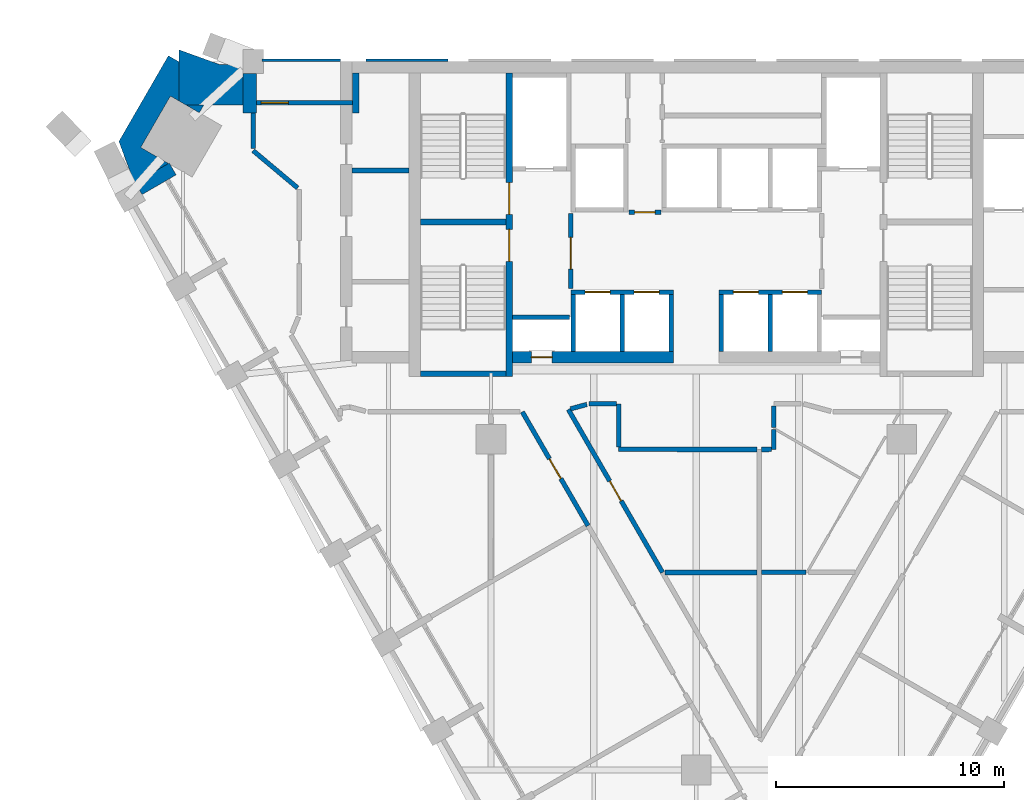
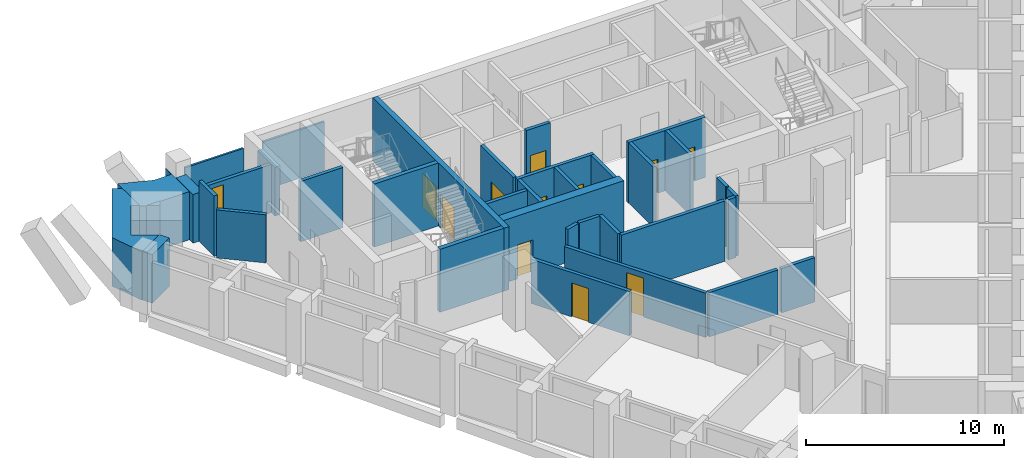
# One storey, part 5 of 10: 37 walls, 12 doors, 12 openings.
"""IFC4 building model written with IfcOpenShell, lengths in metres."""

from ifc_helpers import new_model, si_unit, direction, frame, frame_2d, origin, place, context, subcontext, project, spatial, polyline, rectangle, outline, extrude, material, layer, layer_set, type_object, element, fill, save


model = new_model("IFC4")

# Units and contexts
model_context = context("Model", 3, precision=1e-05, world=origin(), true_north=direction((0.0, 1.0)))
body_context = subcontext(model_context, "Body", "Model", "MODEL_VIEW")
ifc_project = project(units=[si_unit("LENGTHUNIT", "METRE"), si_unit("AREAUNIT", "SQUARE_METRE"), si_unit("VOLUMEUNIT", "CUBIC_METRE"), si_unit("PLANEANGLEUNIT", "RADIAN"), si_unit("MASSUNIT", "GRAM", prefix="KILO")], contexts=[model_context])

# Site, building, storey
site_placement = place(None, origin())
site = spatial("IfcSite", under=ifc_project, at=site_placement, CompositionType="ELEMENT")
building_placement = place(site_placement, origin())
building = spatial("IfcBuilding", under=site, at=building_placement, Name="Calabash Gate Tower", CompositionType="ELEMENT")
storey_placement = place(building_placement, frame((0.0, 0.0, 183.60009765625)))
storey = spatial("IfcBuildingStorey", under=building, at=storey_placement, Name="L43", CompositionType="ELEMENT", Elevation=183.60009765625)

# Walls
ifc_material_1 = material(Name="Terracotta brick masonry, exposed face", Category="masonry")
ifc_layer_1 = layer(ifc_material_1, 2.425048828125)
ifc_layer_set_1 = layer_set([ifc_layer_1], Name="Brick corner mass wall 2425")
wall_type_1 = type_object("IfcWallType", Name="Brick corner mass wall 2425", PredefinedType="SOLIDWALL", material=ifc_layer_set_1)
wall_1_placement = place(storey_placement, origin())
element("IfcWall", 1, at=wall_1_placement, inside=storey, type_object=wall_type_1, Name="Brick corner pier S12 4a", PredefinedType="SOLIDWALL", context=body_context, shape_type="SweptSolid", body=[
    extrude(outline(polyline([(-22.376220703125, 17.152587890625), (-19.878173828125, 17.152587890625), (-19.878173828125, 19.57763671875), (-19.916015625, 18.93701171875), (-20.916015625, 18.93701171875), (-22.68798828125, 19.57763671875), (-22.68798828125, 17.33251953125), (-22.376220703125, 17.152587890625)])), origin(), (0.0, 0.0, 1.0), 2.973388671875),
])
wall_2_placement = place(storey_placement, origin())
element("IfcWall", 2, at=wall_2_placement, inside=storey, type_object=wall_type_1, Name="Brick corner pier S12 4ba", PredefinedType="SOLIDWALL", context=body_context, shape_type="SweptSolid", body=[
    extrude(outline(polyline([(-24.630126953125, 13.730712890625), (-23.137939453125, 14.590087890625), (-24.353759765625, 15.292236328125), (-23.0537109375, 17.5439453125), (-22.68798828125, 17.33251953125), (-22.68798828125, 19.052490234375), (-23.142578125, 19.31494140625), (-25.313232421875, 15.555419921875), (-24.630126953125, 13.730712890625)])), origin(), (0.0, 0.0, 1.0), 3.0),
])
wall_3_placement = place(storey_placement, origin())
element("IfcWall", 3, at=wall_3_placement, inside=storey, type_object=wall_type_1, Name="Brick corner pier S12 4bb", PredefinedType="SOLIDWALL", context=body_context, shape_type="SweptSolid", body=[
    extrude(outline(polyline([(-21.5908203125, 17.152587890625), (-22.376220703125, 17.152587890625), (-21.787353515625, 16.8125), (-21.5908203125, 17.152587890625)])), origin(), (0.0, 0.0, 1.0), 3.0),
])
ifc_material_2 = material(Name="Terracotta brick masonry, exposed face", Category="masonry")
ifc_layer_2 = layer(ifc_material_2, 0.300048828125)
ifc_layer_set_2 = layer_set([ifc_layer_2], Name="Brick loggia cheek wall 300")
wall_type_2 = type_object("IfcWallType", Name="Brick loggia cheek wall 300", PredefinedType="SOLIDWALL", material=ifc_layer_set_2)
wall_4_placement = place(storey_placement, frame((-22.954345703125, 14.349609375, 0.0), z_axis=(0.0, 0.0, 1.0), x_axis=(-0.865994550583, -0.500053435504, 0.0)))
element("IfcWall", 4, at=wall_4_placement, inside=storey, type_object=wall_type_2, Name="Loggia cheek S12 SW0.0", PredefinedType="SOLIDWALL", context=body_context, shape_type="SweptSolid", body=[
    extrude(rectangle(XDim=1.723876953125, YDim=0.60009765625, at=frame_2d((0.86181640625, 0.0))), origin(), (0.0, 0.0, 1.0), 3.0),
])
wall_5_placement = place(storey_placement, origin())
element("IfcWall", 5, at=wall_5_placement, inside=storey, type_object=wall_type_2, Name="Loggia cheek S12 N6.8", PredefinedType="SOLIDWALL", context=body_context, shape_type="SweptSolid", body=[
    extrude(outline(polyline([(-15.078125, 16.802490234375), (-15.078125, 18.5546875), (-14.778076171875, 18.5546875), (-14.778076171875, 16.802490234375), (-15.078125, 16.802490234375)])), origin(), (0.0, 0.0, 1.0), 3.0),
])
wall_6_placement = place(storey_placement, origin())
element("IfcWall", 6, at=wall_6_placement, inside=storey, type_object=wall_type_2, Name="Loggia cheek S12 N6.9", PredefinedType="SOLIDWALL", context=body_context, shape_type="SweptSolid", body=[
    extrude(outline(polyline([(-19.878173828125, 18.527587890625), (-19.878173828125, 16.802490234375), (-19.278076171875, 16.802490234375), (-19.278076171875, 18.527587890625), (-19.878173828125, 18.527587890625)])), origin(), (0.0, 0.0, 1.0), 3.0),
])
ifc_material_3 = material(Name="Gypsum board on steel studs, mineral wool", Category="steel")
ifc_layer_3 = layer(ifc_material_3, 0.199951171875)
ifc_layer_set_3 = layer_set([ifc_layer_3], Name="Core partition 200 gypsum board")
wall_type_3 = type_object("IfcWallType", Name="Core partition 200 gypsum board", PredefinedType="PARTITIONING", material=ifc_layer_set_3)
wall_7_placement = place(storey_placement, frame((-15.10009765625, 14.28271484375, 0.0), z_axis=(0.0, 0.0, 1.0), x_axis=(1.0, 0.0, 0.0)))
element("IfcWall", 7, at=wall_7_placement, inside=storey, type_object=wall_type_3, Name="Core partition", PredefinedType="PARTITIONING", context=body_context, shape_type="SweptSolid", body=[
    extrude(rectangle(XDim=2.5, YDim=0.199951171875, at=frame_2d((1.25, 0.0))), origin(), (0.0, 0.0, 1.0), 3.72998046875),
])
ifc_material_4 = material(Name="Concrete C70/85", Category="concrete")
ifc_layer_4 = layer(ifc_material_4, 0.25)
ifc_layer_set_4 = layer_set([ifc_layer_4], Name="Core wall 250 Concrete C70/85")
wall_type_4 = type_object("IfcWallType", Name="Core wall 250 Concrete C70/85", PredefinedType="SHEAR", material=ifc_layer_set_4)
for number, where, z_axis, x_axis, name in (
    (8, (-12.10009765625, 12.027587890625, 0.0), (0.0, 0.0, 1.0), (1.0, 0.0, 0.0), "Core wall Z3-MIDW L43"),
    (9, (-12.10009765625, 5.377685546875, 0.0), (0.0, 0.0, 1.0), (1.0, 0.0, 0.0), "Core wall Z3-SSW L43"),
):
    element("IfcWall", number, at=place(storey_placement, frame(where, z_axis=z_axis, x_axis=x_axis)), inside=storey, type_object=wall_type_4, Name=name, PredefinedType="SHEAR", context=body_context, shape_type="SweptSolid", body=[
        extrude(rectangle(XDim=3.75, YDim=0.25, at=frame_2d((1.875, 0.0))), origin(), (0.0, 0.0, 1.0), 3.89990234375),
    ])

# Wall, openings, doors
ifc_material_5 = material(Name="Concrete C70/85", Category="concrete")
ifc_layer_5 = layer(ifc_material_5, 0.300048828125)
ifc_layer_set_5 = layer_set([ifc_layer_5], Name="Core wall 300 Concrete C70/85")
wall_type_5 = type_object("IfcWallType", Name="Core wall 300 Concrete C70/85", PredefinedType="SHEAR", material=ifc_layer_set_5)
wall_8_placement = place(storey_placement, frame((-8.199951171875, 5.252685546875, 0.0), z_axis=(0.0, 0.0, 1.0), x_axis=(0.0, 1.0, 0.0)))
wall_8 = element("IfcWall", 10, at=wall_8_placement, inside=storey, type_object=wall_type_5, Name="Core wall Z3-PARTW L43", PredefinedType="SHEAR", context=body_context, shape_type="SweptSolid", body=[
    extrude(rectangle(XDim=13.2998046875, YDim=0.300048828125, at=frame_2d((6.64990234375, 0.0))), origin(), (0.0, 0.0, 1.0), 3.89990234375),
])
opening_1_placement = place(wall_8_placement, frame((7.10009765625, 0.0, 0.0)))
opening_1 = element("IfcOpeningElement", 11, at=opening_1_placement, cuts=wall_8, Name="Opening O4-015", PredefinedType="OPENING", context=body_context, shape_type="SweptSolid", body=[
    extrude(rectangle(XDim=1.39990234375, YDim=2.10009765625, at=frame_2d((0.699951171875, 1.050048828125))), frame((0.0, 0.159912109375, 0.0), z_axis=(0.0, -1.0, 0.0), x_axis=(1.0, 0.0, 0.0)), (0.0, 0.0, 1.0), 0.320068359375),
])
opening_2_placement = place(wall_8_placement, frame((5.050048828125, 0.0, 0.0)))
opening_2 = element("IfcOpeningElement", 12, at=opening_2_placement, cuts=wall_8, Name="Opening O4-016", PredefinedType="OPENING", context=body_context, shape_type="SweptSolid", body=[
    extrude(rectangle(XDim=1.39990234375, YDim=2.10009765625, at=frame_2d((0.699951171875, 1.050048828125))), frame((0.0, 0.159912109375, 0.0), z_axis=(0.0, -1.0, 0.0), x_axis=(1.0, 0.0, 0.0)), (0.0, 0.0, 1.0), 0.320068359375),
])
ifc_material_6 = material(Name="Steel fire door set with fire-resisting glazing", Category="steel")
door_type_1 = type_object("IfcDoorType", Name="Fire door D05 1400x2100 FD90", OperationType="NOTDEFINED", PredefinedType="DOOR", material=ifc_material_6)
door_1_placement = place(opening_1_placement, origin())
door_1 = element("IfcDoor", 13, at=door_1_placement, inside=storey, type_object=door_type_1, Name="Exit stair door ST1", OperationType="SINGLE_SWING_LEFT", OverallHeight=2.10009765625, OverallWidth=1.39990234375, PredefinedType="DOOR", context=body_context, shape_type="SweptSolid", body=[
    extrude(rectangle(XDim=1.39990234375, YDim=2.10009765625, at=frame_2d((0.699951171875, 1.050048828125))), frame((0.0, 0.02490234375, 0.0), z_axis=(0.0, -1.0, 0.0), x_axis=(1.0, 0.0, 0.0)), (0.0, 0.0, 1.0), 0.050048828125),
])
fill(opening_1, door_1)
door_2_placement = place(opening_2_placement, origin())
door_2 = element("IfcDoor", 14, at=door_2_placement, inside=storey, type_object=door_type_1, Name="Exit stair door ST2", OperationType="SINGLE_SWING_LEFT", OverallHeight=2.10009765625, OverallWidth=1.39990234375, PredefinedType="DOOR", context=body_context, shape_type="SweptSolid", body=[
    extrude(rectangle(XDim=1.39990234375, YDim=2.10009765625, at=frame_2d((0.699951171875, 1.050048828125))), frame((0.0, 0.02490234375, 0.0), z_axis=(0.0, -1.0, 0.0), x_axis=(1.0, 0.0, 0.0)), (0.0, 0.0, 1.0), 0.050048828125),
])
fill(opening_2, door_2)

# Wall, opening, door
ifc_material_7 = material(Name="Concrete C70/85", Category="concrete")
ifc_layer_6 = layer(ifc_material_7, 0.5)
ifc_layer_set_6 = layer_set([ifc_layer_6], Name="Core wall 500 Concrete C70/85")
wall_type_6 = type_object("IfcWallType", Name="Core wall 500 Concrete C70/85", PredefinedType="SHEAR", material=ifc_layer_set_6)
wall_9_placement = place(storey_placement, frame((-8.050048828125, 6.1025390625, 0.0), z_axis=(0.0, 0.0, 1.0), x_axis=(1.0, 0.0, 0.0)))
wall_9 = element("IfcWall", 15, at=wall_9_placement, inside=storey, type_object=wall_type_6, Name="Core wall Z3-SA L43", PredefinedType="SHEAR", context=body_context, shape_type="SweptSolid", body=[
    extrude(rectangle(XDim=7.050048828125, YDim=0.5, at=frame_2d((3.52490234375, 0.0))), origin(), (0.0, 0.0, 1.0), 3.89990234375),
])
opening_3_placement = place(wall_9_placement, frame((0.824951171875, 0.0, 0.0)))
opening_3 = element("IfcOpeningElement", 16, at=opening_3_placement, cuts=wall_9, Name="Opening O4-014", PredefinedType="OPENING", context=body_context, shape_type="SweptSolid", body=[
    extrude(rectangle(XDim=0.89990234375, YDim=2.10009765625, at=frame_2d((0.449951171875, 1.050048828125))), frame((0.0, 0.260009765625, 0.0), z_axis=(0.0, -1.0, 0.0), x_axis=(1.0, 0.0, 0.0)), (0.0, 0.0, 1.0), 0.52001953125),
])
ifc_material_8 = material(Name="Steel fire door set with fire-resisting glazing", Category="steel")
door_type_2 = type_object("IfcDoorType", Name="Fire door D07 900x2100 FD90", OperationType="NOTDEFINED", PredefinedType="DOOR", material=ifc_material_8)
door_3_placement = place(opening_3_placement, origin())
door_3 = element("IfcDoor", 17, at=door_3_placement, inside=storey, type_object=door_type_2, Name="Electrical Riser W door", OperationType="SINGLE_SWING_LEFT", OverallHeight=2.10009765625, OverallWidth=0.89990234375, PredefinedType="DOOR", context=body_context, shape_type="SweptSolid", body=[
    extrude(rectangle(XDim=0.89990234375, YDim=2.10009765625, at=frame_2d((0.449951171875, 1.050048828125))), frame((0.0, 0.02490234375, 0.0), z_axis=(0.0, -1.0, 0.0), x_axis=(1.0, 0.0, 0.0)), (0.0, 0.0, 1.0), 0.050048828125),
])
fill(opening_3, door_3)

# Walls
ifc_material_9 = material(Name="Gypsum board on steel studs, mineral wool", Category="steel")
ifc_layer_7 = layer(ifc_material_9, 0.199951171875)
ifc_layer_set_7 = layer_set([ifc_layer_7], Name="Partition 200 gypsum board EI 60")
wall_type_7 = type_object("IfcWallType", Name="Partition 200 gypsum board EI 60", PredefinedType="PARTITIONING", material=ifc_layer_set_7)
wall_10_placement = place(storey_placement, frame((-1.379638671875, -3.341796875, 0.0), z_axis=(0.0, 0.0, 1.0), x_axis=(1.0, 0.0, 0.0)))
element("IfcWall", 18, at=wall_10_placement, inside=storey, type_object=wall_type_7, Name="Partition", PredefinedType="PARTITIONING", context=body_context, shape_type="SweptSolid", body=[
    extrude(rectangle(XDim=4.033935546875, YDim=0.199951171875, at=frame_2d((2.01708984375, 0.0))), origin(), (0.0, 0.0, 1.0), 2.74169921875),
])
wall_11_placement = place(storey_placement, frame((2.856201171875, -3.337890625, 0.0), z_axis=(0.0, 0.0, 1.0), x_axis=(1.0, 0.0, 0.0)))
element("IfcWall", 19, at=wall_11_placement, inside=storey, type_object=wall_type_7, Name="Partition", PredefinedType="PARTITIONING", context=body_context, shape_type="SweptSolid", body=[
    extrude(rectangle(XDim=1.95361328125, YDim=0.199951171875, at=frame_2d((0.976806640625, 0.0))), origin(), (0.0, 0.0, 1.0), 2.74169921875),
])

# Wall, opening, door
wall_12_placement = place(storey_placement, frame((-7.626220703125, 3.699462890625, 0.0), z_axis=(0.0, 0.0, 1.0), x_axis=(0.499998744741, -0.866026128507, 0.0)))
wall_12 = element("IfcWall", 20, at=wall_12_placement, inside=storey, type_object=wall_type_7, Name="Partition", PredefinedType="PARTITIONING", context=body_context, shape_type="SweptSolid", body=[
    extrude(rectangle(XDim=5.76220703125, YDim=0.199951171875, at=frame_2d((2.881103515625, 0.0))), origin(), (0.0, 0.0, 1.0), 2.74169921875),
])
opening_4_placement = place(wall_12_placement, frame((2.381103515625, 0.0, 0.0)))
opening_4 = element("IfcOpeningElement", 21, at=opening_4_placement, cuts=wall_12, Name="Opening 42-44-012", PredefinedType="OPENING", context=body_context, shape_type="SweptSolid", body=[
    extrude(rectangle(XDim=1.0, YDim=2.10009765625, at=frame_2d((0.5, 1.050048828125))), frame((0.0, 0.10986328125, 0.0), z_axis=(0.0, -1.0, 0.0), x_axis=(1.0, 0.0, 0.0)), (0.0, 0.0, 1.0), 0.219970703125),
])
ifc_material_10 = material(Name="Steel fire door set with fire-resisting glazing", Category="steel")
door_type_3 = type_object("IfcDoorType", Name="LD2 Meeting room door 1000x2100", OperationType="NOTDEFINED", PredefinedType="DOOR", material=ifc_material_10)
door_4_placement = place(opening_4_placement, origin())
door_4 = element("IfcDoor", 22, at=door_4_placement, inside=storey, type_object=door_type_3, Name="Meeting room door", OperationType="SINGLE_SWING_LEFT", OverallHeight=2.10009765625, OverallWidth=1.0, PredefinedType="DOOR", context=body_context, shape_type="SweptSolid", body=[
    extrude(rectangle(XDim=1.0, YDim=2.10009765625, at=frame_2d((0.5, 1.050048828125))), frame((0.0, 0.02490234375, 0.0), z_axis=(0.0, -1.0, 0.0), x_axis=(1.0, 0.0, 0.0)), (0.0, 0.0, 1.0), 0.050048828125),
])
fill(opening_4, door_4)

# Walls
wall_13_placement = place(storey_placement, frame((-3.400146484375, 2.052490234375, 0.0), z_axis=(0.0, 0.0, 1.0), x_axis=(0.999999947967, -0.000322593636, 0.0)))
element("IfcWall", 23, at=wall_13_placement, inside=storey, type_object=wall_type_7, Name="Partition", PredefinedType="PARTITIONING", context=body_context, shape_type="SweptSolid", body=[
    extrude(rectangle(XDim=6.054443359375, YDim=0.199951171875, at=frame_2d((3.02734375, 0.0))), origin(), (0.0, 0.0, 1.0), 3.72998046875),
])
wall_14_placement = place(storey_placement, frame((2.856201171875, 2.05078125, 0.0), z_axis=(0.0, 0.0, 1.0), x_axis=(0.999996218015, 0.002750264626, 0.0)))
element("IfcWall", 24, at=wall_14_placement, inside=storey, type_object=wall_type_7, Name="Partition", PredefinedType="PARTITIONING", context=body_context, shape_type="SweptSolid", body=[
    extrude(rectangle(XDim=0.44384765625, YDim=0.199951171875, at=frame_2d((0.221923828125, 0.0))), origin(), (0.0, 0.0, 1.0), 3.72998046875),
])
wall_15_placement = place(storey_placement, frame((-3.402099609375, 4.050537109375, 0.0), z_axis=(0.0, 0.0, 1.0), x_axis=(0.001028938362, -0.999999470643, 0.0)))
element("IfcWall", 25, at=wall_15_placement, inside=storey, type_object=wall_type_7, Name="Partition", PredefinedType="PARTITIONING", context=body_context, shape_type="SweptSolid", body=[
    extrude(rectangle(XDim=1.898193359375, YDim=0.199951171875, at=frame_2d((0.94921875, 0.0))), origin(), (0.0, 0.0, 1.0), 3.72998046875),
])
wall_16_placement = place(storey_placement, frame((3.39990234375, 2.052490234375, 0.0), z_axis=(0.0, 0.0, 1.0), x_axis=(0.002247816743, 0.999997473657, 0.0)))
element("IfcWall", 26, at=wall_16_placement, inside=storey, type_object=wall_type_7, Name="Partition", PredefinedType="PARTITIONING", context=body_context, shape_type="SweptSolid", body=[
    extrude(rectangle(XDim=0.868896484375, YDim=0.199951171875, at=frame_2d((0.4345703125, 0.0))), origin(), (0.0, 0.0, 1.0), 3.72998046875),
])

# Wall, opening, door
wall_17_placement = place(storey_placement, frame((-5.6083984375, 3.805908203125, 0.0), z_axis=(0.0, 0.0, 1.0), x_axis=(0.500189366784, -0.865916045212, 0.0)))
wall_17 = element("IfcWall", 27, at=wall_17_placement, inside=storey, type_object=wall_type_7, Name="Partition", PredefinedType="PARTITIONING", context=body_context, shape_type="SweptSolid", body=[
    extrude(rectangle(XDim=8.252197265625, YDim=0.199951171875, at=frame_2d((4.1259765625, 0.0))), origin(), (0.0, 0.0, 1.0), 2.74169921875),
])
opening_5_placement = place(wall_17_placement, frame((3.62548828125, 0.0, 0.0)))
opening_5 = element("IfcOpeningElement", 28, at=opening_5_placement, cuts=wall_17, Name="Opening 42-44-006", PredefinedType="OPENING", context=body_context, shape_type="SweptSolid", body=[
    extrude(rectangle(XDim=1.0, YDim=2.39990234375, at=frame_2d((0.5, 1.199951171875))), frame((0.0, 0.10986328125, 0.0), z_axis=(0.0, -1.0, 0.0), x_axis=(1.0, 0.0, 0.0)), (0.0, 0.0, 1.0), 0.219970703125),
])
ifc_material_11 = material(Name="Painted timber door", Category="wood")
door_type_4 = type_object("IfcDoorType", Name="OD2 Glazed office door 1000x2400", OperationType="NOTDEFINED", PredefinedType="DOOR", material=ifc_material_11)
door_5_placement = place(opening_5_placement, origin())
door_5 = element("IfcDoor", 29, at=door_5_placement, inside=storey, type_object=door_type_4, Name="Glazed office door", OperationType="SINGLE_SWING_LEFT", OverallHeight=2.39990234375, OverallWidth=1.0, PredefinedType="DOOR", context=body_context, shape_type="SweptSolid", body=[
    extrude(rectangle(XDim=1.0, YDim=2.39990234375, at=frame_2d((0.5, 1.199951171875))), frame((0.0, 0.02490234375, 0.0), z_axis=(0.0, -1.0, 0.0), x_axis=(1.0, 0.0, 0.0)), (0.0, 0.0, 1.0), 0.050048828125),
])
fill(opening_5, door_5)

# Walls
wall_18_placement = place(storey_placement, frame((3.402099609375, 3.021728515625, 0.0), z_axis=(0.0, 0.0, 1.0), x_axis=(0.0, 1.0, 0.0)))
element("IfcWall", 30, at=wall_18_placement, inside=storey, type_object=wall_type_7, Name="Partition", PredefinedType="PARTITIONING", context=body_context, shape_type="SweptSolid", body=[
    extrude(rectangle(XDim=0.928955078125, YDim=0.199951171875, at=frame_2d((0.46435546875, 0.0))), origin(), (0.0, 0.0, 1.0), 3.72998046875),
])
wall_19_placement = place(storey_placement, frame((-5.511962890625, 3.83203125, 0.0), z_axis=(0.0, 0.0, 1.0), x_axis=(0.965127638193, 0.261779758568, 0.0)))
element("IfcWall", 31, at=wall_19_placement, inside=storey, type_object=wall_type_7, Name="Partition", PredefinedType="PARTITIONING", context=body_context, shape_type="SweptSolid", body=[
    extrude(rectangle(XDim=0.741455078125, YDim=0.199951171875, at=frame_2d((0.37060546875, 0.0))), origin(), (0.0, 0.0, 1.0), 3.72998046875),
])
wall_20_placement = place(storey_placement, frame((-4.699951171875, 4.052490234375, 0.0), z_axis=(0.0, 0.0, 1.0), x_axis=(0.999998982503, -0.001426532072, 0.0)))
element("IfcWall", 32, at=wall_20_placement, inside=storey, type_object=wall_type_7, Name="Partition", PredefinedType="PARTITIONING", context=body_context, shape_type="SweptSolid", body=[
    extrude(rectangle(XDim=1.197998046875, YDim=0.199951171875, at=frame_2d((0.59912109375, 0.0))), origin(), (0.0, 0.0, 1.0), 3.72998046875),
])
wall_21_placement = place(storey_placement, frame((-19.428466796875, 15.15234375, 0.0), z_axis=(0.0, 0.0, 1.0), x_axis=(0.766371208191, -0.642397985097, 0.0)))
element("IfcWall", 33, at=wall_21_placement, inside=storey, type_object=wall_type_7, Name="Partition", PredefinedType="PARTITIONING", context=body_context, shape_type="SweptSolid", body=[
    extrude(rectangle(XDim=2.54638671875, YDim=0.199951171875, at=frame_2d((1.273193359375, 0.0))), origin(), (0.0, 0.0, 1.0), 2.973388671875),
])
wall_22_placement = place(storey_placement, frame((-19.4287109375, 16.802490234375, 0.0), z_axis=(0.0, 0.0, 1.0), x_axis=(0.000157480313, -0.9999999876, 0.0)))
element("IfcWall", 34, at=wall_22_placement, inside=storey, type_object=wall_type_7, Name="Partition", PredefinedType="PARTITIONING", context=body_context, shape_type="SweptSolid", body=[
    extrude(rectangle(XDim=1.55029296875, YDim=0.199951171875, at=frame_2d((0.775146484375, 0.0))), origin(), (0.0, 0.0, 1.0), 3.72998046875),
])
ifc_material_12 = material(Name="Concrete C40/50", Category="concrete")
ifc_layer_8 = layer(ifc_material_12, 0.199951171875)
ifc_layer_set_8 = layer_set([ifc_layer_8], Name="Shaft wall 200 Concrete C40/50")
wall_type_8 = type_object("IfcWallType", Name="Shaft wall 200 Concrete C40/50", PredefinedType="SOLIDWALL", material=ifc_layer_set_8)
for number, where, z_axis, x_axis, name in (
    (35, (-5.39990234375, 6.3525390625, 0.0), (0.0, 0.0, 1.0), (0.0, 1.0, 0.0), "Shaft wall"),
    (36, (-3.25, 6.3525390625, 0.0), (0.0, 0.0, 1.0), (0.0, 1.0, 0.0), "Shaft wall"),
    (37, (-1.10009765625, 6.3525390625, 0.0), (0.0, 0.0, 1.0), (0.0, 1.0, 0.0), "Shaft wall"),
    (38, (1.10009765625, 6.3525390625, 0.0), (0.0, 0.0, 1.0), (0.0, 1.0, 0.0), "Shaft wall"),
    (39, (3.25, 6.3525390625, 0.0), (0.0, 0.0, 1.0), (0.0, 1.0, 0.0), "Shaft wall"),
    (40, (-8.050048828125, 7.8525390625, 0.0), (0.0, 0.0, 1.0), (1.0, 0.0, 0.0), "Shaft wall"),
):
    element("IfcWall", number, at=place(storey_placement, frame(where, z_axis=z_axis, x_axis=x_axis)), inside=storey, type_object=wall_type_8, Name=name, PredefinedType="SOLIDWALL", context=body_context, shape_type="SweptSolid", body=[
        extrude(rectangle(XDim=2.5, YDim=0.199951171875, at=frame_2d((1.25, 0.0))), origin(), (0.0, 0.0, 1.0), 3.72998046875),
    ])

# Wall, openings, doors
wall_23_placement = place(storey_placement, frame((-5.5, 8.95263671875, 0.0), z_axis=(0.0, 0.0, 1.0), x_axis=(1.0, 0.0, 0.0)))
wall_23 = element("IfcWall", 41, at=wall_23_placement, inside=storey, type_object=wall_type_8, Name="Shaft wall", PredefinedType="SOLIDWALL", context=body_context, shape_type="SweptSolid", body=[
    extrude(rectangle(XDim=4.5, YDim=0.199951171875, at=frame_2d((2.25, 0.0))), origin(), (0.0, 0.0, 1.0), 3.72998046875),
])
opening_6_placement = place(wall_23_placement, frame((0.625, 0.0, 0.0)))
opening_6 = element("IfcOpeningElement", 42, at=opening_6_placement, cuts=wall_23, Name="Opening LD-HR1", PredefinedType="OPENING", context=body_context, shape_type="SweptSolid", body=[
    extrude(rectangle(XDim=1.10009765625, YDim=2.10009765625, at=frame_2d((0.550048828125, 1.050048828125))), frame((0.0, 0.10986328125, 0.0), z_axis=(0.0, -1.0, 0.0), x_axis=(1.0, 0.0, 0.0)), (0.0, 0.0, 1.0), 0.219970703125),
])
opening_7_placement = place(wall_23_placement, frame((2.77490234375, 0.0, 0.0)))
opening_7 = element("IfcOpeningElement", 43, at=opening_7_placement, cuts=wall_23, Name="Opening LD-HR2", PredefinedType="OPENING", context=body_context, shape_type="SweptSolid", body=[
    extrude(rectangle(XDim=1.10009765625, YDim=2.10009765625, at=frame_2d((0.550048828125, 1.050048828125))), frame((0.0, 0.10986328125, 0.0), z_axis=(0.0, -1.0, 0.0), x_axis=(1.0, 0.0, 0.0)), (0.0, 0.0, 1.0), 0.219970703125),
])
ifc_material_13 = material(Name="Stainless steel sliding door leaves", Category="steel")
door_type_5 = type_object("IfcDoorType", Name="Lift landing door LS1 1100x2100 FD90", OperationType="DOUBLE_DOOR_SLIDING", PredefinedType="DOOR", material=ifc_material_13)
door_6_placement = place(opening_6_placement, origin())
door_6 = element("IfcDoor", 44, at=door_6_placement, inside=storey, type_object=door_type_5, Name="Lift landing door HR1", OperationType="DOUBLE_DOOR_SLIDING", OverallHeight=2.10009765625, OverallWidth=1.10009765625, PredefinedType="DOOR", context=body_context, shape_type="SweptSolid", body=[
    extrude(rectangle(XDim=1.10009765625, YDim=2.10009765625, at=frame_2d((0.550048828125, 1.050048828125))), frame((0.0, 0.02490234375, 0.0), z_axis=(0.0, -1.0, 0.0), x_axis=(1.0, 0.0, 0.0)), (0.0, 0.0, 1.0), 0.050048828125),
])
fill(opening_6, door_6)
door_7_placement = place(opening_7_placement, origin())
door_7 = element("IfcDoor", 45, at=door_7_placement, inside=storey, type_object=door_type_5, Name="Lift landing door HR2", OperationType="DOUBLE_DOOR_SLIDING", OverallHeight=2.10009765625, OverallWidth=1.10009765625, PredefinedType="DOOR", context=body_context, shape_type="SweptSolid", body=[
    extrude(rectangle(XDim=1.10009765625, YDim=2.10009765625, at=frame_2d((0.550048828125, 1.050048828125))), frame((0.0, 0.02490234375, 0.0), z_axis=(0.0, -1.0, 0.0), x_axis=(1.0, 0.0, 0.0)), (0.0, 0.0, 1.0), 0.050048828125),
])
fill(opening_7, door_7)

wall_24_placement = place(storey_placement, frame((1.0, 8.95263671875, 0.0), z_axis=(0.0, 0.0, 1.0), x_axis=(1.0, 0.0, 0.0)))
wall_24 = element("IfcWall", 46, at=wall_24_placement, inside=storey, type_object=wall_type_8, Name="Shaft wall", PredefinedType="SOLIDWALL", context=body_context, shape_type="SweptSolid", body=[
    extrude(rectangle(XDim=4.5, YDim=0.199951171875, at=frame_2d((2.25, 0.0))), origin(), (0.0, 0.0, 1.0), 3.72998046875),
])
opening_8_placement = place(wall_24_placement, frame((0.625, 0.0, 0.0)))
opening_8 = element("IfcOpeningElement", 47, at=opening_8_placement, cuts=wall_24, Name="Opening LD-HR3", PredefinedType="OPENING", context=body_context, shape_type="SweptSolid", body=[
    extrude(rectangle(XDim=1.10009765625, YDim=2.10009765625, at=frame_2d((0.550048828125, 1.050048828125))), frame((0.0, 0.10986328125, 0.0), z_axis=(0.0, -1.0, 0.0), x_axis=(1.0, 0.0, 0.0)), (0.0, 0.0, 1.0), 0.219970703125),
])
opening_9_placement = place(wall_24_placement, frame((2.77490234375, 0.0, 0.0)))
opening_9 = element("IfcOpeningElement", 48, at=opening_9_placement, cuts=wall_24, Name="Opening LD-HR4", PredefinedType="OPENING", context=body_context, shape_type="SweptSolid", body=[
    extrude(rectangle(XDim=1.10009765625, YDim=2.10009765625, at=frame_2d((0.550048828125, 1.050048828125))), frame((0.0, 0.10986328125, 0.0), z_axis=(0.0, -1.0, 0.0), x_axis=(1.0, 0.0, 0.0)), (0.0, 0.0, 1.0), 0.219970703125),
])
door_8_placement = place(opening_8_placement, origin())
door_8 = element("IfcDoor", 49, at=door_8_placement, inside=storey, type_object=door_type_5, Name="Lift landing door HR3", OperationType="DOUBLE_DOOR_SLIDING", OverallHeight=2.10009765625, OverallWidth=1.10009765625, PredefinedType="DOOR", context=body_context, shape_type="SweptSolid", body=[
    extrude(rectangle(XDim=1.10009765625, YDim=2.10009765625, at=frame_2d((0.550048828125, 1.050048828125))), frame((0.0, 0.02490234375, 0.0), z_axis=(0.0, -1.0, 0.0), x_axis=(1.0, 0.0, 0.0)), (0.0, 0.0, 1.0), 0.050048828125),
])
fill(opening_8, door_8)
door_9_placement = place(opening_9_placement, origin())
door_9 = element("IfcDoor", 50, at=door_9_placement, inside=storey, type_object=door_type_5, Name="Lift landing door HR4", OperationType="DOUBLE_DOOR_SLIDING", OverallHeight=2.10009765625, OverallWidth=1.10009765625, PredefinedType="DOOR", context=body_context, shape_type="SweptSolid", body=[
    extrude(rectangle(XDim=1.10009765625, YDim=2.10009765625, at=frame_2d((0.550048828125, 1.050048828125))), frame((0.0, 0.02490234375, 0.0), z_axis=(0.0, -1.0, 0.0), x_axis=(1.0, 0.0, 0.0)), (0.0, 0.0, 1.0), 0.050048828125),
])
fill(opening_9, door_9)

# Wall, opening, door
wall_25_placement = place(storey_placement, frame((-5.5, 9.1025390625, 0.0), z_axis=(0.0, 0.0, 1.0), x_axis=(0.0, 1.0, 0.0)))
wall_25 = element("IfcWall", 51, at=wall_25_placement, inside=storey, type_object=wall_type_8, Name="Shaft wall", PredefinedType="SOLIDWALL", context=body_context, shape_type="SweptSolid", body=[
    extrude(rectangle(XDim=3.300048828125, YDim=0.199951171875, at=frame_2d((1.64990234375, 0.0))), origin(), (0.0, 0.0, 1.0), 3.72998046875),
])
opening_10_placement = place(wall_25_placement, frame((0.85009765625, 0.0, 0.0)))
opening_10 = element("IfcOpeningElement", 52, at=opening_10_placement, cuts=wall_25, Name="Opening O4-009", PredefinedType="OPENING", context=body_context, shape_type="SweptSolid", body=[
    extrude(rectangle(XDim=1.39990234375, YDim=2.10009765625, at=frame_2d((0.699951171875, 1.050048828125))), frame((0.0, 0.10986328125, 0.0), z_axis=(0.0, -1.0, 0.0), x_axis=(1.0, 0.0, 0.0)), (0.0, 0.0, 1.0), 0.219970703125),
])
door_10_placement = place(opening_10_placement, origin())
door_10 = element("IfcDoor", 53, at=door_10_placement, inside=storey, type_object=door_type_1, Name="Firefighting Lobby W door", OperationType="SINGLE_SWING_RIGHT", OverallHeight=2.10009765625, OverallWidth=1.39990234375, PredefinedType="DOOR", context=body_context, shape_type="SweptSolid", body=[
    extrude(rectangle(XDim=1.39990234375, YDim=2.10009765625, at=frame_2d((0.699951171875, 1.050048828125))), frame((0.0, 0.02490234375, 0.0), z_axis=(0.0, -1.0, 0.0), x_axis=(1.0, 0.0, 0.0)), (0.0, 0.0, 1.0), 0.050048828125),
])
fill(opening_10, door_10)

wall_26_placement = place(storey_placement, frame((-2.949951171875, 12.45263671875, 0.0), z_axis=(0.0, 0.0, 1.0), x_axis=(1.0, 0.0, 0.0)))
wall_26 = element("IfcWall", 54, at=wall_26_placement, inside=storey, type_object=wall_type_8, Name="Shaft wall", PredefinedType="SOLIDWALL", context=body_context, shape_type="SweptSolid", body=[
    extrude(rectangle(XDim=1.39990234375, YDim=0.199951171875, at=frame_2d((0.699951171875, 0.0))), origin(), (0.0, 0.0, 1.0), 3.72998046875),
])
opening_11_placement = place(wall_26_placement, frame((0.25, 0.0, 0.0)))
opening_11 = element("IfcOpeningElement", 55, at=opening_11_placement, cuts=wall_26, Name="Opening O4-007", PredefinedType="OPENING", context=body_context, shape_type="SweptSolid", body=[
    extrude(rectangle(XDim=0.89990234375, YDim=2.10009765625, at=frame_2d((0.449951171875, 1.050048828125))), frame((0.0, 0.10986328125, 0.0), z_axis=(0.0, -1.0, 0.0), x_axis=(1.0, 0.0, 0.0)), (0.0, 0.0, 1.0), 0.219970703125),
])
ifc_material_14 = material(Name="Steel fire door set with fire-resisting glazing", Category="steel")
door_type_6 = type_object("IfcDoorType", Name="Fire door D06 900x2100 FD60", OperationType="NOTDEFINED", PredefinedType="DOOR", material=ifc_material_14)
door_11_placement = place(opening_11_placement, origin())
door_11 = element("IfcDoor", 56, at=door_11_placement, inside=storey, type_object=door_type_6, Name="Service Corridor door", OperationType="SINGLE_SWING_RIGHT", OverallHeight=2.10009765625, OverallWidth=0.89990234375, PredefinedType="DOOR", context=body_context, shape_type="SweptSolid", body=[
    extrude(rectangle(XDim=0.89990234375, YDim=2.10009765625, at=frame_2d((0.449951171875, 1.050048828125))), frame((0.0, 0.02490234375, 0.0), z_axis=(0.0, -1.0, 0.0), x_axis=(1.0, 0.0, 0.0)), (0.0, 0.0, 1.0), 0.050048828125),
])
fill(opening_11, door_11)

# Walls
ifc_material_15 = material(Name="Terracotta brick masonry, perforated", Category="masonry")
ifc_layer_9 = layer(ifc_material_15, 0.1201171875)
ifc_layer_set_9 = layer_set([ifc_layer_9], Name="Terracotta jaali cladding B 120")
wall_type_9 = type_object("IfcWallType", Name="Terracotta jaali cladding B 120", PredefinedType="SOLIDWALL", material=ifc_layer_set_9)
wall_27_placement = place(storey_placement, frame((-15.598388671875, 19.112548828125, 0.0), z_axis=(0.0, 0.0, 1.0), x_axis=(-1.0, 0.0, 0.0)))
element("IfcWall", 57, at=wall_27_placement, inside=storey, type_object=wall_type_9, Name="Jaali cladding S12 N6.c1", PredefinedType="SOLIDWALL", context=body_context, shape_type="SweptSolid", body=[
    extrude(rectangle(XDim=3.43994140625, YDim=0.1201171875, at=frame_2d((1.719970703125, 0.0))), origin(), (0.0, 0.0, 1.0), 3.0),
])
ifc_material_16 = material(Name="Terracotta louvre blades in an aluminium frame", Category="masonry")
ifc_layer_10 = layer(ifc_material_16, 0.1201171875)
ifc_layer_set_10 = layer_set([ifc_layer_10], Name="Terracotta vent louvre cladding 120")
wall_type_10 = type_object("IfcWallType", Name="Terracotta vent louvre cladding 120", PredefinedType="ELEMENTEDWALL", material=ifc_layer_set_10)
wall_28_placement = place(storey_placement, origin())
element("IfcWall", 58, at=wall_28_placement, inside=storey, type_object=wall_type_10, Name="Vent louvre cladding S12 N6.8", PredefinedType="ELEMENTEDWALL", context=body_context, shape_type="SweptSolid", body=[
    extrude(outline(polyline([(-14.478271484375, 19.172607421875), (-14.478271484375, 19.052490234375), (-10.878173828125, 19.052490234375), (-10.878173828125, 19.172607421875), (-14.478271484375, 19.172607421875)])), origin(), (0.0, 0.0, 1.0), 3.0),
])

# Wall, opening, door
ifc_material_17 = material(Name="Aluminium framed window wall with insulated spandrel", Category="aluminium")
ifc_layer_11 = layer(ifc_material_17, 0.199951171875)
ifc_layer_set_11 = layer_set([ifc_layer_11], Name="Window wall 200")
wall_type_11 = type_object("IfcWallType", Name="Window wall 200", PredefinedType="ELEMENTEDWALL", material=ifc_layer_set_11)
wall_29_placement = place(storey_placement, frame((-15.078125, 17.25244140625, 0.0), z_axis=(0.0, 0.0, 1.0), x_axis=(-1.0, 0.0, 0.0)))
wall_29 = element("IfcWall", 59, at=wall_29_placement, inside=storey, type_object=wall_type_11, Name="Window wall S12 N6.9", PredefinedType="ELEMENTEDWALL", context=body_context, shape_type="SweptSolid", body=[
    extrude(rectangle(XDim=4.199951171875, YDim=0.199951171875, at=frame_2d((2.10009765625, 0.0))), origin(), (0.0, 0.0, 1.0), 2.973388671875),
])
opening_12_placement = place(wall_29_placement, frame((2.800048828125, 0.0, 0.0)))
opening_12 = element("IfcOpeningElement", 60, at=opening_12_placement, cuts=wall_29, Name="Opening O4-020", PredefinedType="OPENING", context=body_context, shape_type="SweptSolid", body=[
    extrude(rectangle(XDim=1.199951171875, YDim=2.699951171875, at=frame_2d((0.60009765625, 1.35009765625))), frame((0.0, 0.10986328125, 0.0), z_axis=(0.0, -1.0, 0.0), x_axis=(1.0, 0.0, 0.0)), (0.0, 0.0, 1.0), 0.219970703125),
])
ifc_material_18 = material(Name="Anodised aluminium frame, bronze finish, impact-rated laminated clear glazing", Category="aluminium")
door_type_7 = type_object("IfcDoorType", Name="Loggia door DO1 1200x2700", OperationType="SLIDING_TO_LEFT", PredefinedType="DOOR", material=ifc_material_18)
door_12_placement = place(opening_12_placement, origin())
door_12 = element("IfcDoor", 61, at=door_12_placement, inside=storey, type_object=door_type_7, Name="Loggia door S12 N6.9", OperationType="SINGLE_SWING_LEFT", OverallHeight=2.699951171875, OverallWidth=1.199951171875, PredefinedType="DOOR", context=body_context, shape_type="SweptSolid", body=[
    extrude(rectangle(XDim=1.199951171875, YDim=2.699951171875, at=frame_2d((0.60009765625, 1.35009765625))), frame((0.0, 0.02490234375, 0.0), z_axis=(0.0, -1.0, 0.0), x_axis=(1.0, 0.0, 0.0)), (0.0, 0.0, 1.0), 0.050048828125),
])
fill(opening_12, door_12)

save(model, "model.ifc")
